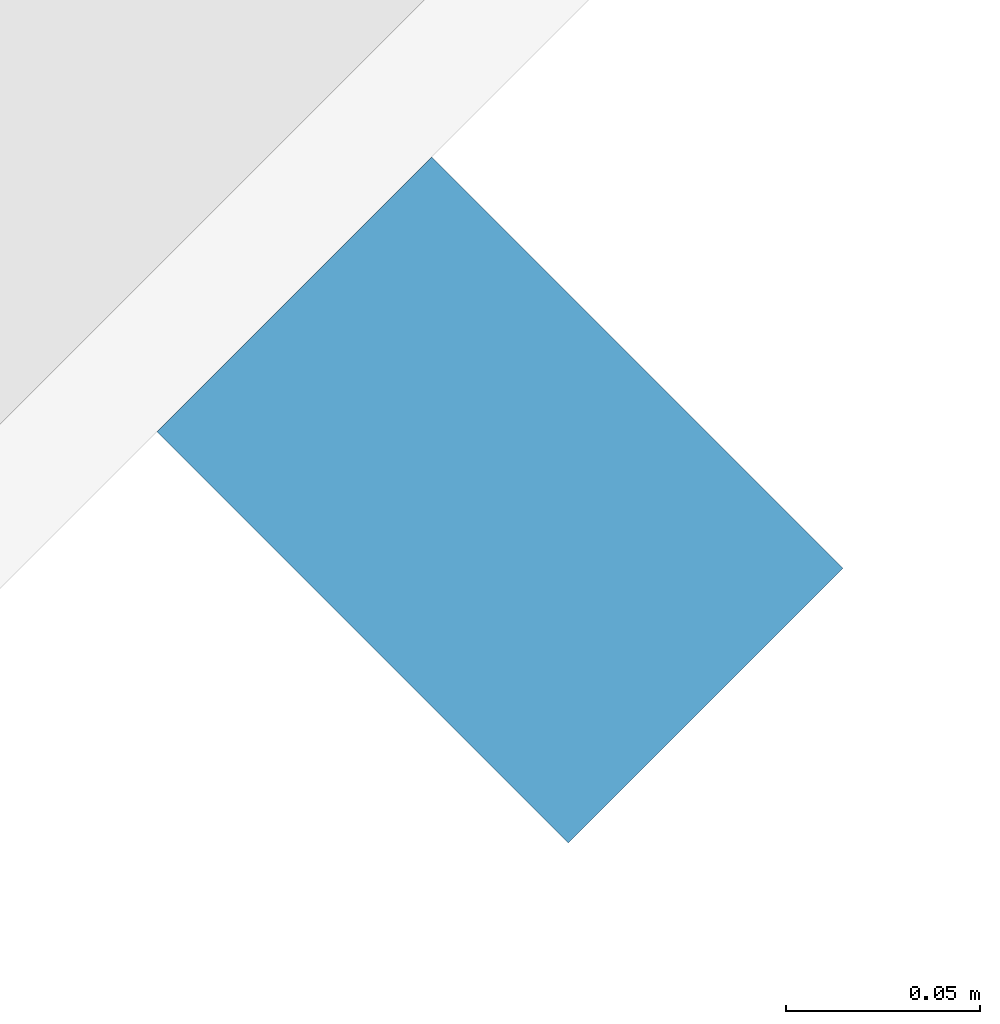
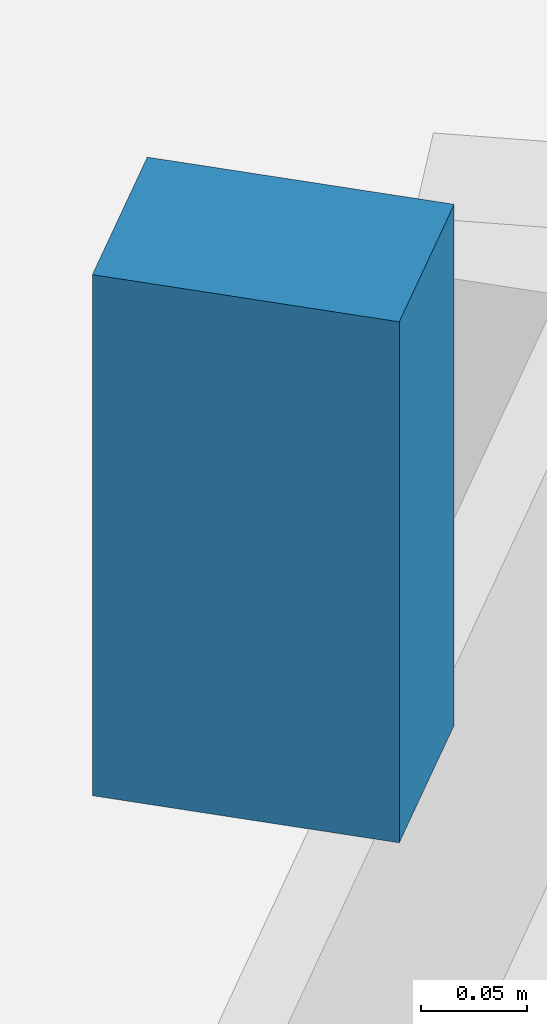
# One storey, part 11 of 30: 1 discrete accessory.
"""IFC4 building model written with IfcOpenShell, lengths in metres."""

from ifc_helpers import new_model, si_unit, direction, frame, origin, origin_2d, place, context, subcontext, project, spatial, rectangle, extrude, material, type_object, element, save


model = new_model("IFC4")

# Units and contexts
model_context = context("Model", 3, precision=1e-05, world=origin(), true_north=direction((0.0, 1.0)))
body_context = subcontext(model_context, "Body", "Model", "MODEL_VIEW")
ifc_project = project(units=[si_unit("LENGTHUNIT", "METRE"), si_unit("AREAUNIT", "SQUARE_METRE"), si_unit("VOLUMEUNIT", "CUBIC_METRE"), si_unit("PLANEANGLEUNIT", "RADIAN"), si_unit("MASSUNIT", "GRAM", prefix="KILO")], contexts=[model_context])

# Site, building, storey
site_placement = place(None, origin())
site = spatial("IfcSite", under=ifc_project, at=site_placement, CompositionType="ELEMENT")
building_placement = place(site_placement, origin())
building = spatial("IfcBuilding", under=site, at=building_placement, Name="Qamariyya Broadcast Tower", CompositionType="ELEMENT")
storey_placement = place(building_placement, frame((0.0, 0.0, 67.10009765625)))
storey = spatial("IfcBuildingStorey", under=building, at=storey_placement, Name="L13", CompositionType="ELEMENT", Elevation=67.10009765625)

# Discrete accessory
ifc_material = material(Name="Stainless steel 316", Category="steel")
discrete_accessory_type = type_object("IfcDiscreteAccessoryType", Name="Slab edge fixing angle, stainless steel", PredefinedType="BRACKET", material=ifc_material)
discrete_accessory_placement = place(storey_placement, frame((59.01611328125, -53.49072265625, 3.2998046875), z_axis=(0.0, 0.0, 1.0), x_axis=(0.707106781187, 0.707106781187, 0.0)))
element("IfcDiscreteAccessory", 1, at=discrete_accessory_placement, inside=storey, type_object=discrete_accessory_type, Name="e-br-L13-14-0", PredefinedType="BRACKET", context=body_context, shape_type="SweptSolid", body=[
    extrude(rectangle(XDim=0.10009765625, YDim=0.14990234375, at=origin_2d()), origin(), (0.0, 0.0, 1.0), 0.300048828125),
])

save(model, "model.ifc")
